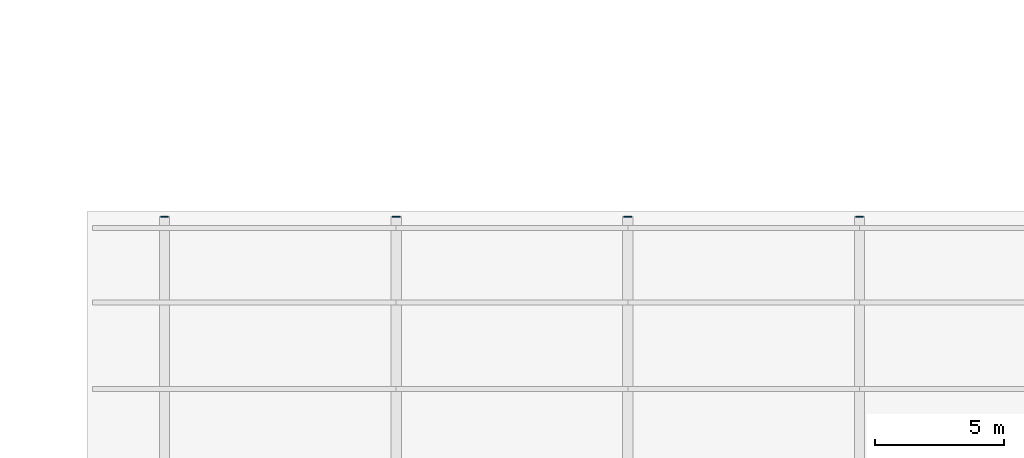
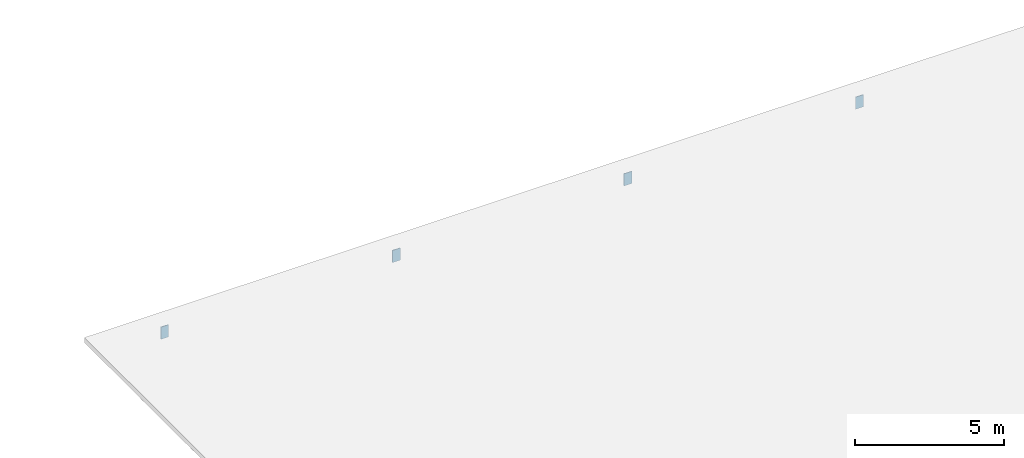
# One storey, part 26 of 32: 4 discrete accessories.
"""IFC4 building model written with IfcOpenShell, lengths in metres."""

from ifc_helpers import new_model, si_unit, direction, frame, origin, origin_2d, place, context, subcontext, project, spatial, rectangle, extrude, material, layer, layer_set, type_object, element, save


model = new_model("IFC4")

# Units and contexts
model_context = context("Model", 3, precision=1e-05, world=origin(), true_north=direction((0.0, 1.0)))
body_context = subcontext(model_context, "Body", "Model", "MODEL_VIEW")
ifc_project = project(units=[si_unit("LENGTHUNIT", "METRE"), si_unit("AREAUNIT", "SQUARE_METRE"), si_unit("VOLUMEUNIT", "CUBIC_METRE"), si_unit("PLANEANGLEUNIT", "RADIAN"), si_unit("MASSUNIT", "GRAM", prefix="KILO")], contexts=[model_context])

# Site, building, storey
site_placement = place(None, origin())
site = spatial("IfcSite", under=ifc_project, at=site_placement, CompositionType="ELEMENT")
building_placement = place(site_placement, origin())
building = spatial("IfcBuilding", under=site, at=building_placement, Name="Hunhe Ridgeline Campus", CompositionType="ELEMENT")
storey_placement = place(building_placement, frame((0.0, 0.0, 26.39990234375)))
storey = spatial("IfcBuildingStorey", under=building, at=storey_placement, Name="L05", CompositionType="ELEMENT", Elevation=26.39990234375)

# Discrete accessories
ifc_material = material(Name="Steel Q355", Category="steel")
ifc_layer = layer(ifc_material, 0.030029296875)
ifc_layer_set = layer_set([ifc_layer], Name="Cast-in plate 300x500x30 Steel Q355")
discrete_accessory_type = type_object("IfcDiscreteAccessoryType", Name="Cast-in plate 300x500x30 Steel Q355", PredefinedType="BRACKET", material=ifc_layer_set)
for number, where, z_axis, x_axis, name in (
    (1, (153.0, 76.284912109375, 0.14013671875), (0.0, 0.0, 1.0), (0.0, 1.0, 0.0), "Roof truss 1 cast-in plate n top"),
    (2, (162.0, 76.284912109375, 0.14013671875), (0.0, 0.0, 1.0), (0.0, 1.0, 0.0), "Roof truss 2 cast-in plate n top"),
    (3, (171.0, 76.284912109375, 0.14013671875), (0.0, 0.0, 1.0), (0.0, 1.0, 0.0), "Roof truss 3 cast-in plate n top"),
    (4, (180.0, 76.284912109375, 0.14013671875), (0.0, 0.0, 1.0), (0.0, 1.0, 0.0), "Roof truss 4 cast-in plate n top"),
):
    element("IfcDiscreteAccessory", number, at=place(storey_placement, frame(where, z_axis=z_axis, x_axis=x_axis)), inside=storey, type_object=discrete_accessory_type, Name=name, PredefinedType="BRACKET", context=body_context, shape_type="SweptSolid", body=[
        extrude(rectangle(XDim=0.030029296875, YDim=0.300048828125, at=origin_2d()), origin(), (0.0, 0.0, 1.0), 0.5),
    ])

save(model, "model.ifc")
